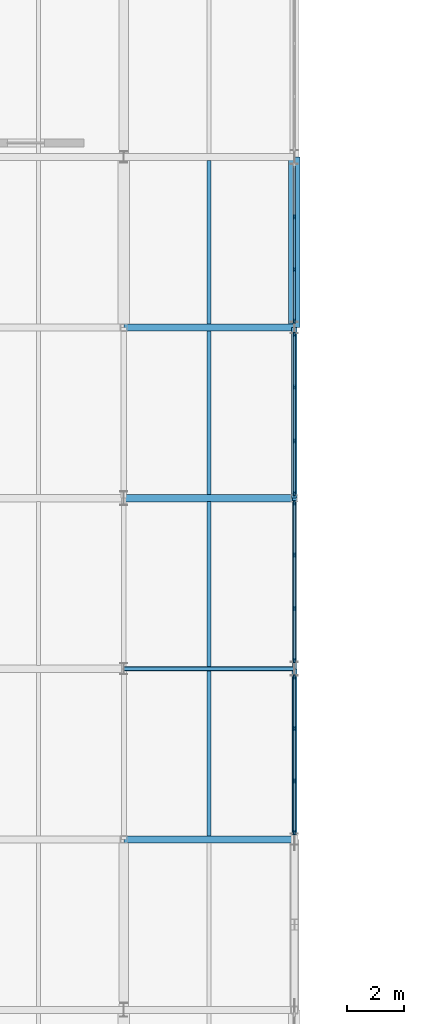
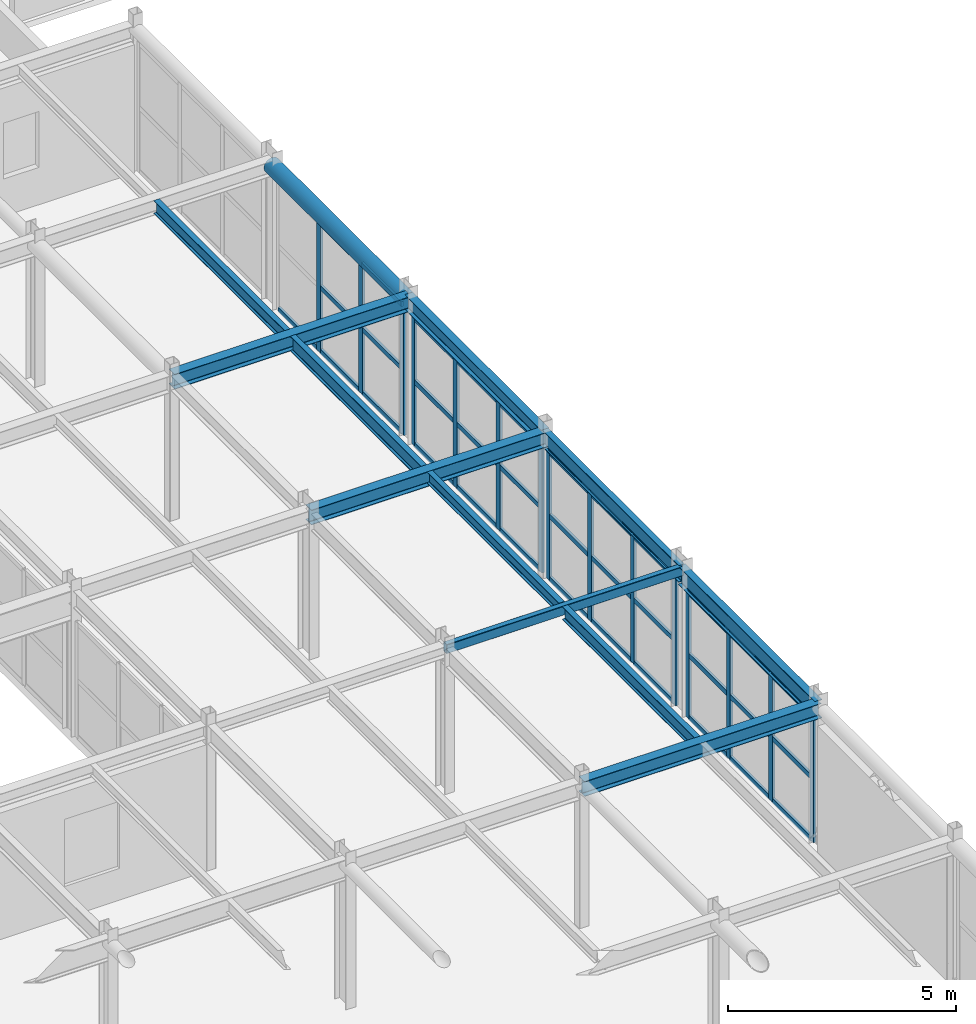
# One storey, part 16 of 83: 49 members, 12 beams, 4 elements without a shape of their own.
"""IFC4 building model written with IfcOpenShell, lengths in metres."""

import ifcopenshell
import ifcopenshell.guid

model = None  # the IFC model being written
_history = None  # IfcOwnerHistory: only IFC2X3 demands one
_inside = {}  # id of a spatial element -> (the spatial element, [elements in it])
_under = {}  # id of a project, library or spatial element -> (it, [spatial elements below it])
_declared = {}  # id of a project -> (the project, [libraries it declares])
_typed = {}  # id of a type object -> (the type object, [elements of that type])
_made_of = {}  # id of a material, layer set ... -> (it, [elements and type objects made of it])


def new_model(schema):
    """Start an empty IFC model of exactly this schema.

    Asked for "IFC4X3", IfcOpenShell would pick the latest addendum, in which some entities
    have other attributes; the version numbers below select the first issue.
    IFC2X3 requires an IfcOwnerHistory on every rooted entity: one is made here for all.
    """
    global model, _history
    if schema == "IFC4X3":
        model = ifcopenshell.file(schema_version=(4, 3, 0, 0))
    else:
        model = ifcopenshell.file(schema=schema)
    _inside.clear()
    _under.clear()
    _declared.clear()
    _typed.clear()
    _made_of.clear()
    _history = None
    if model.schema == "IFC2X3":
        org = make("IfcOrganization", Name="unknown")
        user = make(
            "IfcPersonAndOrganization",
            ThePerson=make("IfcPerson", FamilyName="unknown"),
            TheOrganization=org,
        )
        app = make(
            "IfcApplication",
            ApplicationDeveloper=org,
            Version="unknown",
            ApplicationFullName="unknown",
            ApplicationIdentifier="unknown",
        )
        _history = make(
            "IfcOwnerHistory",
            OwningUser=user,
            OwningApplication=app,
            ChangeAction="ADDED",
            CreationDate=0,
        )
    return model


def make(cls, **values):
    """One entity of the class cls with the attributes given. An attribute that is None is left unset."""
    return model.create_entity(
        cls, **{name: value for name, value in values.items() if value is not None}
    )


def rooted(cls, **values):
    """An entity with a GlobalId (a new one), such as an element, a storey or a relation."""
    return make(cls, GlobalId=ifcopenshell.guid.new(), OwnerHistory=_history, **values)


def si_unit(unit_type, name, prefix=None):
    """IfcSIUnit, for example si_unit("LENGTHUNIT", "METRE", prefix="MILLI")."""
    return make("IfcSIUnit", UnitType=unit_type, Prefix=prefix, Name=name)


def assignment(units):
    """IfcUnitAssignment: the units of a project."""
    return None if units is None else make("IfcUnitAssignment", Units=units)


def point(xyz):
    """IfcCartesianPoint."""
    return None if xyz is None else make("IfcCartesianPoint", Coordinates=xyz)


def direction(xyz):
    """IfcDirection."""
    return None if xyz is None else make("IfcDirection", DirectionRatios=xyz)


def frame(location, z_axis=None, x_axis=None):
    """IfcAxis2Placement3D, a coordinate frame: its origin and axes. An axis left out is left unset."""
    return make(
        "IfcAxis2Placement3D",
        Location=point(location),
        Axis=direction(z_axis),
        RefDirection=direction(x_axis),
    )


def frame_2d(location, x_axis=None):
    """IfcAxis2Placement2D, a coordinate frame in the plane: its origin and x axis."""
    return make(
        "IfcAxis2Placement2D", Location=point(location), RefDirection=direction(x_axis)
    )


def origin():
    """The frame at (0, 0, 0) with its axes left unset."""
    return frame((0.0, 0.0, 0.0))


def origin_2d():
    """The frame at (0, 0) in the plane with its x axis left unset."""
    return frame_2d((0.0, 0.0))


def place(relative_to, where):
    """IfcLocalPlacement: puts the frame where relative to a parent placement (None: the world)."""
    return make(
        "IfcLocalPlacement", PlacementRelTo=relative_to, RelativePlacement=where
    )


def context(
    kind, dimensions, precision=None, world=None, true_north=None, identifier=None
):
    """IfcGeometricRepresentationContext, for example the 3D "Model" context."""
    return make(
        "IfcGeometricRepresentationContext",
        ContextIdentifier=identifier,
        ContextType=kind,
        CoordinateSpaceDimension=dimensions,
        Precision=precision,
        WorldCoordinateSystem=world,
        TrueNorth=true_north,
    )


def subcontext(parent, identifier, kind, view, scale=None):
    """IfcGeometricRepresentationSubContext, for example "Body" below "Model"."""
    return make(
        "IfcGeometricRepresentationSubContext",
        ContextIdentifier=identifier,
        ContextType=kind,
        ParentContext=parent,
        TargetScale=scale,
        TargetView=view,
    )


def project(units=None, contexts=None):
    """IfcProject with its units and contexts."""
    return rooted(
        "IfcProject",
        Name="project",
        RepresentationContexts=contexts,
        UnitsInContext=assignment(units),
    )


def spatial(cls, under=None, at=None, **own):
    """A site, building, storey or space (cls), placed at a placement, below another one or the project."""
    s = rooted(cls, ObjectPlacement=at, **own)
    if under is not None:
        _under.setdefault(under.id(), (under, []))[1].append(s)
    return s


def profile(cls, at=None, kind="AREA", **sizes):
    """A parametric profile (cls). Its sizes go by their IFC names, for example OverallWidth=200.0."""
    return make(cls, ProfileType=kind, Position=at, **sizes)


def rectangle(**sizes):
    """IfcRectangleProfileDef."""
    return profile("IfcRectangleProfileDef", **sizes)


def hollow_rectangle(**sizes):
    """IfcRectangleHollowProfileDef."""
    return profile("IfcRectangleHollowProfileDef", **sizes)


def hollow_circle(**sizes):
    """IfcCircleHollowProfileDef."""
    return profile("IfcCircleHollowProfileDef", **sizes)


def i_section(**sizes):
    """IfcIShapeProfileDef."""
    return profile("IfcIShapeProfileDef", **sizes)


def extrude(swept, where, along, depth):
    """IfcExtrudedAreaSolid: the profile swept, set in the frame where, extruded along a direction by depth."""
    return make(
        "IfcExtrudedAreaSolid",
        SweptArea=swept,
        Position=where,
        ExtrudedDirection=direction(along),
        Depth=depth,
    )


def shape(context_of_items, identifier, shape_type, items):
    """IfcShapeRepresentation: the items that make up one representation, for example the "Body"."""
    return make(
        "IfcShapeRepresentation",
        ContextOfItems=context_of_items,
        RepresentationIdentifier=identifier,
        RepresentationType=shape_type,
        Items=items,
    )


def material(Name=None, Category=None):
    """IfcMaterial."""
    return make("IfcMaterial", Name=Name, Category=Category)


def material_profile(
    of_material, cross_section, Name=None, Category=None, Priority=None
):
    """IfcMaterialProfile: a cross section and its material."""
    return make(
        "IfcMaterialProfile",
        Name=Name,
        Material=of_material,
        Profile=cross_section,
        Priority=Priority,
        Category=Category,
    )


def profile_set(profiles, Name=None, composite=None):
    """IfcMaterialProfileSet."""
    return make(
        "IfcMaterialProfileSet",
        Name=Name,
        MaterialProfiles=profiles,
        CompositeProfile=composite,
    )


def made_of(thing, what):
    """Note that an element or type object is made of a material, layer set ...; save() writes the relation."""
    if what is not None:
        _made_of.setdefault(what.id(), (what, []))[1].append(thing)
    return thing


def type_object(cls, material=None, **own):
    """A type object (cls), such as IfcWallType, which elements share."""
    return made_of(rooted(cls, **own), material)


def element(
    cls,
    number,
    at=None,
    inside=None,
    cuts=None,
    type_object=None,
    material=None,
    context=None,
    identifier="Body",
    shape_type=None,
    held_by="IfcProductDefinitionShape",
    body=None,
    shapes=None,
    **own,
):
    """One element of the class cls, such as IfcWall. Its Tag is "e" and its number.

    at: its placement. inside: the storey or other place that contains it. cuts: it is an
    opening in that element (IfcRelVoidsElement). A single representation is given by context,
    identifier, shape_type and body (its items); several are given by shapes. held_by: the class
    of the entity that holds the representations. save() writes the other relations.
    """
    e = rooted(cls, Tag="e%d" % number, ObjectPlacement=at, **own)
    if body is not None:
        shapes = [shape(context, identifier, shape_type, body)]
    if shapes is not None:
        e.Representation = make(held_by, Representations=shapes)
    if inside is not None:
        _inside.setdefault(inside.id(), (inside, []))[1].append(e)
    if cuts is not None:
        rooted(
            "IfcRelVoidsElement", RelatingBuildingElement=cuts, RelatedOpeningElement=e
        )
    if type_object is not None:
        _typed.setdefault(type_object.id(), (type_object, []))[1].append(e)
    return made_of(e, material)


def aggregate(whole, parts):
    """IfcRelAggregates: a whole, such as a stair, and the parts it consists of."""
    return rooted("IfcRelAggregates", RelatingObject=whole, RelatedObjects=parts)


def save(model, path):
    """Write the relations noted so far, then the file.

    IfcRelAggregates (storeys below a building ...), IfcRelContainedInSpatialStructure (elements
    in a storey), IfcRelDefinesByType, IfcRelAssociatesMaterial and IfcRelDeclares: one each for
    every whole, place, type object, material and project.
    """
    for whole, parts in _under.values():
        aggregate(whole, parts)
    for where, things in _inside.values():
        rooted(
            "IfcRelContainedInSpatialStructure",
            RelatedElements=things,
            RelatingStructure=where,
        )
    for kind, things in _typed.values():
        rooted("IfcRelDefinesByType", RelatedObjects=things, RelatingType=kind)
    for what, things in _made_of.values():
        rooted("IfcRelAssociatesMaterial", RelatedObjects=things, RelatingMaterial=what)
    for by, libraries in _declared.values():
        rooted("IfcRelDeclares", RelatingContext=by, RelatedDefinitions=libraries)
    model.write(path)


model = new_model("IFC4")

# Units and contexts
model_context = context("Model", 3, precision=1e-05, world=origin(), true_north=direction((0.0, 1.0)))
body_context = subcontext(model_context, "Body", "Model", "MODEL_VIEW")
ifc_project = project(units=[si_unit("LENGTHUNIT", "METRE"), si_unit("AREAUNIT", "SQUARE_METRE"), si_unit("VOLUMEUNIT", "CUBIC_METRE"), si_unit("PLANEANGLEUNIT", "RADIAN"), si_unit("MASSUNIT", "GRAM", prefix="KILO")], contexts=[model_context])

# Site, building, storey
site_placement = place(None, origin())
site = spatial("IfcSite", under=ifc_project, at=site_placement, CompositionType="ELEMENT")
building_placement = place(site_placement, origin())
building = spatial("IfcBuilding", under=site, at=building_placement, Name="Varnakota Square Police Headquarters", CompositionType="ELEMENT")
storey_placement = place(building_placement, frame((0.0, 0.0, 18.0)))
storey = spatial("IfcBuildingStorey", under=building, at=storey_placement, Name="L04", CompositionType="ELEMENT", Elevation=18.0)

# Beams
ifc_material_1 = material(Name="Steel IS 2062 Grade 350", Category="steel")
ifc_material_profile_1 = material_profile(ifc_material_1, hollow_circle(Radius=0.203125, WallThickness=0.01611328125, at=origin_2d()), Name="CHS 406.4x16.0")
ifc_profile_set_1 = profile_set([ifc_material_profile_1], Name="Steel IS 2062 Grade 350")
beam_type_1 = type_object("IfcBeamType", Name="BM-ARC-CHS406", PredefinedType="BEAM", material=ifc_profile_set_1)
beam_1_placement = place(storey_placement, frame((42.0, 51.0, 3.69677734375), z_axis=(0.0, 1.0, 0.0), x_axis=(-1.0, 0.0, 0.0)))
element("IfcBeam", 1, at=beam_1_placement, inside=storey, type_object=beam_type_1, Name="BMG-L04-2974", PredefinedType="BEAM", context=body_context, shape_type="SweptSolid", body=[
    extrude(hollow_circle(Radius=0.203125, WallThickness=0.01611328125, at=origin_2d()), origin(), (0.0, 0.0, 1.0), 6.0),
])
ifc_material_profile_2 = material_profile(ifc_material_1, hollow_rectangle(XDim=0.14990234375, YDim=0.25, WallThickness=0.010009765625, InnerFilletRadius=0.010009765625, OuterFilletRadius=0.02001953125, at=origin_2d()), Name="RHS 250x150x10")
ifc_profile_set_2 = profile_set([ifc_material_profile_2], Name="Steel IS 2062 Grade 350")
beam_type_2 = type_object("IfcBeamType", Name="BM-CBEAM-RHS250", PredefinedType="BEAM", material=ifc_profile_set_2)
beam_2_placement = place(storey_placement, frame((36.0, 39.0, 3.77490234375), z_axis=(1.0, 0.0, 0.0), x_axis=(0.0, 1.0, 0.0)))
element("IfcBeam", 2, at=beam_2_placement, inside=storey, type_object=beam_type_2, Name="BMG-L04-2900", PredefinedType="BEAM", context=body_context, shape_type="SweptSolid", body=[
    extrude(hollow_rectangle(XDim=0.14990234375, YDim=0.25, WallThickness=0.010009765625, InnerFilletRadius=0.010009765625, OuterFilletRadius=0.02001953125, at=origin_2d()), origin(), (0.0, 0.0, 1.0), 6.0),
])
ifc_material_profile_3 = material_profile(ifc_material_1, i_section(OverallWidth=0.25, OverallDepth=0.39990234375, WebThickness=0.010498046875, FlangeThickness=0.0126953125, FilletRadius=0.013916015625, at=origin_2d()), Name="ISHB 400")
ifc_profile_set_3 = profile_set([ifc_material_profile_3], Name="Steel IS 2062 Grade 350")
beam_type_3 = type_object("IfcBeamType", Name="BM-ISHB400", PredefinedType="BEAM", material=ifc_profile_set_3)
for number, where, z_axis, x_axis, name in (
    (3, (36.0, 33.0, 3.699951171875), (1.0, 0.0, 0.0), (0.0, 1.0, 0.0), "BMG-L04-2891"),
    (4, (36.0, 45.0, 3.699951171875), (1.0, 0.0, 0.0), (0.0, 1.0, 0.0), "BMG-L04-2909"),
    (5, (36.0, 51.0, 3.699951171875), (1.0, 0.0, 0.0), (0.0, 1.0, 0.0), "BMG-L04-2917"),
):
    element("IfcBeam", number, at=place(storey_placement, frame(where, z_axis=z_axis, x_axis=x_axis)), inside=storey, type_object=beam_type_3, Name=name, PredefinedType="BEAM", context=body_context, shape_type="SweptSolid", body=[
        extrude(i_section(OverallWidth=0.25, OverallDepth=0.39990234375, WebThickness=0.010498046875, FlangeThickness=0.0126953125, FilletRadius=0.013916015625, at=origin_2d()), origin(), (0.0, 0.0, 1.0), 6.0),
    ])
ifc_material_profile_4 = material_profile(ifc_material_1, i_section(OverallWidth=0.139892578125, OverallDepth=0.300048828125, WebThickness=0.0078125, FlangeThickness=0.01318359375, FilletRadius=0.013916015625, at=origin_2d()), Name="ISMB 300")
ifc_profile_set_4 = profile_set([ifc_material_profile_4], Name="Steel IS 2062 Grade 350")
beam_type_4 = type_object("IfcBeamType", Name="BM-ISMB300", PredefinedType="JOIST", material=ifc_profile_set_4)
beam_3_placement = place(storey_placement, frame((39.0, 39.072998046875, 3.75), z_axis=(0.0, 1.0, 0.0), x_axis=(-1.0, 0.0, 0.0)))
element("IfcBeam", 6, at=beam_3_placement, inside=storey, type_object=beam_type_4, Name="BMG-L04-3051", PredefinedType="JOIST", context=body_context, shape_type="SweptSolid", body=[
    extrude(i_section(OverallWidth=0.139892578125, OverallDepth=0.300048828125, WebThickness=0.0078125, FlangeThickness=0.01318359375, FilletRadius=0.013916015625, at=origin_2d()), origin(), (0.0, 0.0, 1.0), 5.803955078125),
])
ifc_material_profile_5 = material_profile(ifc_material_1, i_section(OverallWidth=0.139892578125, OverallDepth=0.35009765625, WebThickness=0.008056640625, FlangeThickness=0.01416015625, FilletRadius=0.013916015625, at=origin_2d()), Name="ISMB 350")
ifc_profile_set_5 = profile_set([ifc_material_profile_5], Name="Steel IS 2062 Grade 350")
beam_type_5 = type_object("IfcBeamType", Name="BM-ISMB350", PredefinedType="JOIST", material=ifc_profile_set_5)
beam_4_placement = place(storey_placement, frame((39.0, 33.123046875, 3.72509765625), z_axis=(0.0, 1.0, 0.0), x_axis=(-1.0, 0.0, 0.0)))
element("IfcBeam", 7, at=beam_4_placement, inside=storey, type_object=beam_type_5, Name="BMG-L04-3050", PredefinedType="JOIST", context=body_context, shape_type="SweptSolid", body=[
    extrude(i_section(OverallWidth=0.139892578125, OverallDepth=0.35009765625, WebThickness=0.008056640625, FlangeThickness=0.01416015625, FilletRadius=0.013916015625, at=origin_2d()), origin(), (0.0, 0.0, 1.0), 5.803955078125),
])
beam_5_placement = place(storey_placement, frame((39.0, 51.123046875, 3.72509765625), z_axis=(0.0, 1.0, 0.0), x_axis=(-1.0, 0.0, 0.0)))
element("IfcBeam", 8, at=beam_5_placement, inside=storey, type_object=beam_type_5, Name="BMG-L04-3053", PredefinedType="JOIST", context=body_context, shape_type="SweptSolid", body=[
    extrude(i_section(OverallWidth=0.139892578125, OverallDepth=0.35009765625, WebThickness=0.008056640625, FlangeThickness=0.01416015625, FilletRadius=0.013916015625, at=origin_2d()), origin(), (0.0, 0.0, 1.0), 5.75390625),
])
ifc_material_profile_6 = material_profile(ifc_material_1, i_section(OverallWidth=0.139892578125, OverallDepth=0.39990234375, WebThickness=0.0087890625, FlangeThickness=0.01611328125, FilletRadius=0.013916015625, at=origin_2d()), Name="ISMB 400")
ifc_profile_set_6 = profile_set([ifc_material_profile_6], Name="Steel IS 2062 Grade 350")
beam_type_6 = type_object("IfcBeamType", Name="BM-ISMB400", PredefinedType="JOIST", material=ifc_profile_set_6)
beam_6_placement = place(storey_placement, frame((39.0, 45.123046875, 3.699951171875), z_axis=(0.0, 1.0, 0.0), x_axis=(-1.0, 0.0, 0.0)))
element("IfcBeam", 9, at=beam_6_placement, inside=storey, type_object=beam_type_6, Name="BMG-L04-3052", PredefinedType="JOIST", context=body_context, shape_type="SweptSolid", body=[
    extrude(i_section(OverallWidth=0.139892578125, OverallDepth=0.39990234375, WebThickness=0.0087890625, FlangeThickness=0.01611328125, FilletRadius=0.013916015625, at=origin_2d()), origin(), (0.0, 0.0, 1.0), 5.75390625),
])
ifc_material_profile_7 = material_profile(ifc_material_1, i_section(OverallWidth=0.14990234375, OverallDepth=0.449951171875, WebThickness=0.009521484375, FlangeThickness=0.017333984375, FilletRadius=0.014892578125, at=origin_2d()), Name="ISMB 450")
ifc_profile_set_7 = profile_set([ifc_material_profile_7], Name="Steel IS 2062 Grade 350")
beam_type_7 = type_object("IfcBeamType", Name="BM-ISMB450", PredefinedType="BEAM", material=ifc_profile_set_7)
beam_7_placement = place(storey_placement, frame((42.0, 39.0, 3.675048828125), z_axis=(0.0, 1.0, 0.0), x_axis=(-1.0, 0.0, 0.0)))
element("IfcBeam", 10, at=beam_7_placement, inside=storey, type_object=beam_type_7, Name="BMG-L04-2972", PredefinedType="BEAM", context=body_context, shape_type="SweptSolid", body=[
    extrude(i_section(OverallWidth=0.14990234375, OverallDepth=0.449951171875, WebThickness=0.009521484375, FlangeThickness=0.017333984375, FilletRadius=0.014892578125, at=origin_2d()), origin(), (0.0, 0.0, 1.0), 6.0),
])
ifc_material_profile_8 = material_profile(ifc_material_1, i_section(OverallWidth=0.179931640625, OverallDepth=0.5, WebThickness=0.01025390625, FlangeThickness=0.01708984375, FilletRadius=0.01708984375, at=origin_2d()), Name="ISMB 500")
ifc_profile_set_8 = profile_set([ifc_material_profile_8], Name="Steel IS 2062 Grade 350")
beam_type_8 = type_object("IfcBeamType", Name="BM-ISMB500", PredefinedType="BEAM", material=ifc_profile_set_8)
beam_8_placement = place(storey_placement, frame((42.0, 33.0, 3.64990234375), z_axis=(0.0, 1.0, 0.0), x_axis=(-1.0, 0.0, 0.0)))
element("IfcBeam", 11, at=beam_8_placement, inside=storey, type_object=beam_type_8, Name="BMG-L04-2971", PredefinedType="BEAM", context=body_context, shape_type="SweptSolid", body=[
    extrude(i_section(OverallWidth=0.179931640625, OverallDepth=0.5, WebThickness=0.01025390625, FlangeThickness=0.01708984375, FilletRadius=0.01708984375, at=origin_2d()), origin(), (0.0, 0.0, 1.0), 6.0),
])
ifc_material_profile_9 = material_profile(ifc_material_1, i_section(OverallWidth=0.199951171875, OverallDepth=0.39990234375, WebThickness=0.008544921875, FlangeThickness=0.012939453125, FilletRadius=0.012939453125, at=origin_2d()), Name="ISWB 400")
ifc_profile_set_9 = profile_set([ifc_material_profile_9], Name="Steel IS 2062 Grade 350")
beam_type_9 = type_object("IfcBeamType", Name="BM-ISWB400", PredefinedType="BEAM", material=ifc_profile_set_9)
beam_9_placement = place(storey_placement, frame((42.0, 45.0, 3.699951171875), z_axis=(0.0, 1.0, 0.0), x_axis=(-1.0, 0.0, 0.0)))
element("IfcBeam", 12, at=beam_9_placement, inside=storey, type_object=beam_type_9, Name="BMG-L04-2973", PredefinedType="BEAM", context=body_context, shape_type="SweptSolid", body=[
    extrude(i_section(OverallWidth=0.199951171875, OverallDepth=0.39990234375, WebThickness=0.008544921875, FlangeThickness=0.012939453125, FilletRadius=0.012939453125, at=origin_2d()), origin(), (0.0, 0.0, 1.0), 6.0),
])

# Curtain wall, members
ifc_material_2 = material(Name="Anodised Aluminium Framing", Category="aluminium")
curtain_wall_type = type_object("IfcCurtainWallType", Name="CW-SYS-D", PredefinedType="NOTDEFINED", material=ifc_material_2)
curtain_wall_1_placement = place(storey_placement, origin())
curtain_wall_1 = element("IfcCurtainWall", 13, at=curtain_wall_1_placement, inside=storey, type_object=curtain_wall_type, Name="Unitised curtain wall CWG-L04-181", PredefinedType="NOTDEFINED")
ifc_material_3 = material(Name="Anodised Aluminium 6063-T6", Category="aluminium")
ifc_material_profile_10 = material_profile(ifc_material_3, rectangle(XDim=0.06494140625, YDim=0.159912109375, at=origin_2d()), Name="ALU MULLION 65x160")
ifc_profile_set_10 = profile_set([ifc_material_profile_10], Name="Anodised Aluminium 6063-T6")
member_type_1 = type_object("IfcMemberType", Name="CWM-150", PredefinedType="MULLION", material=ifc_profile_set_10)
member_1_placement = place(storey_placement, frame((42.0, 33.237548828125, 0.0), z_axis=(0.0, 0.0, 1.0), x_axis=(-1.0, 0.0, 0.0)))
member_1 = element("IfcMember", 14, at=member_1_placement, type_object=member_type_1, Name="CWG-L04-181 mullion 1", PredefinedType="MULLION", context=body_context, shape_type="SweptSolid", body=[
    extrude(rectangle(XDim=0.06494140625, YDim=0.159912109375, at=origin_2d()), origin(), (0.0, 0.0, 1.0), 3.389892578125),
])
member_2_placement = place(storey_placement, frame((42.0, 35.0517578125, 0.0), z_axis=(0.0, 0.0, 1.0), x_axis=(-1.0, 0.0, 0.0)))
member_2 = element("IfcMember", 15, at=member_2_placement, type_object=member_type_1, Name="CWG-L04-181 mullion 2", PredefinedType="MULLION", context=body_context, shape_type="SweptSolid", body=[
    extrude(rectangle(XDim=0.06494140625, YDim=0.159912109375, at=origin_2d()), origin(), (0.0, 0.0, 1.0), 3.389892578125),
])
member_3_placement = place(storey_placement, frame((42.0, 36.8984375, 0.0), z_axis=(0.0, 0.0, 1.0), x_axis=(-1.0, 0.0, 0.0)))
member_3 = element("IfcMember", 16, at=member_3_placement, type_object=member_type_1, Name="CWG-L04-181 mullion 3", PredefinedType="MULLION", context=body_context, shape_type="SweptSolid", body=[
    extrude(rectangle(XDim=0.06494140625, YDim=0.159912109375, at=origin_2d()), origin(), (0.0, 0.0, 1.0), 3.389892578125),
])
member_4_placement = place(storey_placement, frame((42.0, 38.71240234375, 0.0), z_axis=(0.0, 0.0, 1.0), x_axis=(-1.0, 0.0, 0.0)))
member_4 = element("IfcMember", 17, at=member_4_placement, type_object=member_type_1, Name="CWG-L04-181 mullion 4", PredefinedType="MULLION", context=body_context, shape_type="SweptSolid", body=[
    extrude(rectangle(XDim=0.06494140625, YDim=0.159912109375, at=origin_2d()), origin(), (0.0, 0.0, 1.0), 3.389892578125),
])

curtain_wall_2_placement = place(storey_placement, origin())
curtain_wall_2 = element("IfcCurtainWall", 18, at=curtain_wall_2_placement, inside=storey, type_object=curtain_wall_type, Name="Unitised curtain wall CWG-L04-182", PredefinedType="NOTDEFINED")
member_5_placement = place(storey_placement, frame((42.0, 39.28759765625, 0.0), z_axis=(0.0, 0.0, 1.0), x_axis=(-1.0, 0.0, 0.0)))
member_5 = element("IfcMember", 19, at=member_5_placement, type_object=member_type_1, Name="CWG-L04-182 mullion 1", PredefinedType="MULLION", context=body_context, shape_type="SweptSolid", body=[
    extrude(rectangle(XDim=0.06494140625, YDim=0.159912109375, at=origin_2d()), origin(), (0.0, 0.0, 1.0), 3.43994140625),
])
member_6_placement = place(storey_placement, frame((42.0, 41.126708984375, 0.0), z_axis=(0.0, 0.0, 1.0), x_axis=(-1.0, 0.0, 0.0)))
member_6 = element("IfcMember", 20, at=member_6_placement, type_object=member_type_1, Name="CWG-L04-182 mullion 2", PredefinedType="MULLION", context=body_context, shape_type="SweptSolid", body=[
    extrude(rectangle(XDim=0.06494140625, YDim=0.159912109375, at=origin_2d()), origin(), (0.0, 0.0, 1.0), 3.43994140625),
])
member_7_placement = place(storey_placement, frame((42.0, 42.998291015625, 0.0), z_axis=(0.0, 0.0, 1.0), x_axis=(-1.0, 0.0, 0.0)))
member_7 = element("IfcMember", 21, at=member_7_placement, type_object=member_type_1, Name="CWG-L04-182 mullion 3", PredefinedType="MULLION", context=body_context, shape_type="SweptSolid", body=[
    extrude(rectangle(XDim=0.06494140625, YDim=0.159912109375, at=origin_2d()), origin(), (0.0, 0.0, 1.0), 3.43994140625),
])
member_8_placement = place(storey_placement, frame((42.0, 44.83740234375, 0.0), z_axis=(0.0, 0.0, 1.0), x_axis=(-1.0, 0.0, 0.0)))
member_8 = element("IfcMember", 22, at=member_8_placement, type_object=member_type_1, Name="CWG-L04-182 mullion 4", PredefinedType="MULLION", context=body_context, shape_type="SweptSolid", body=[
    extrude(rectangle(XDim=0.06494140625, YDim=0.159912109375, at=origin_2d()), origin(), (0.0, 0.0, 1.0), 3.43994140625),
])

curtain_wall_3_placement = place(storey_placement, origin())
curtain_wall_3 = element("IfcCurtainWall", 23, at=curtain_wall_3_placement, inside=storey, type_object=curtain_wall_type, Name="Unitised curtain wall CWG-L04-183", PredefinedType="NOTDEFINED")
member_9_placement = place(storey_placement, frame((42.0, 45.16259765625, 0.0), z_axis=(0.0, 0.0, 1.0), x_axis=(-1.0, 0.0, 0.0)))
member_9 = element("IfcMember", 24, at=member_9_placement, type_object=member_type_1, Name="CWG-L04-183 mullion 1", PredefinedType="MULLION", context=body_context, shape_type="SweptSolid", body=[
    extrude(rectangle(XDim=0.06494140625, YDim=0.159912109375, at=origin_2d()), origin(), (0.0, 0.0, 1.0), 3.43994140625),
])
member_10_placement = place(storey_placement, frame((42.0, 47.018310546875, 0.0), z_axis=(0.0, 0.0, 1.0), x_axis=(-1.0, 0.0, 0.0)))
member_10 = element("IfcMember", 25, at=member_10_placement, type_object=member_type_1, Name="CWG-L04-183 mullion 2", PredefinedType="MULLION", context=body_context, shape_type="SweptSolid", body=[
    extrude(rectangle(XDim=0.06494140625, YDim=0.159912109375, at=origin_2d()), origin(), (0.0, 0.0, 1.0), 3.43994140625),
])
member_11_placement = place(storey_placement, frame((42.0, 48.90673828125, 0.0), z_axis=(0.0, 0.0, 1.0), x_axis=(-1.0, 0.0, 0.0)))
member_11 = element("IfcMember", 26, at=member_11_placement, type_object=member_type_1, Name="CWG-L04-183 mullion 3", PredefinedType="MULLION", context=body_context, shape_type="SweptSolid", body=[
    extrude(rectangle(XDim=0.06494140625, YDim=0.159912109375, at=origin_2d()), origin(), (0.0, 0.0, 1.0), 3.43994140625),
])
member_12_placement = place(storey_placement, frame((42.0, 50.762451171875, 0.0), z_axis=(0.0, 0.0, 1.0), x_axis=(-1.0, 0.0, 0.0)))
member_12 = element("IfcMember", 27, at=member_12_placement, type_object=member_type_1, Name="CWG-L04-183 mullion 4", PredefinedType="MULLION", context=body_context, shape_type="SweptSolid", body=[
    extrude(rectangle(XDim=0.06494140625, YDim=0.159912109375, at=origin_2d()), origin(), (0.0, 0.0, 1.0), 3.43994140625),
])

curtain_wall_4_placement = place(storey_placement, origin())
curtain_wall_4 = element("IfcCurtainWall", 28, at=curtain_wall_4_placement, inside=storey, type_object=curtain_wall_type, Name="Unitised curtain wall CWG-L04-184", PredefinedType="NOTDEFINED")
member_13_placement = place(storey_placement, frame((42.0, 51.237548828125, 0.0), z_axis=(0.0, 0.0, 1.0), x_axis=(-1.0, 0.0, 0.0)))
member_13 = element("IfcMember", 29, at=member_13_placement, type_object=member_type_1, Name="CWG-L04-184 mullion 1", PredefinedType="MULLION", context=body_context, shape_type="SweptSolid", body=[
    extrude(rectangle(XDim=0.06494140625, YDim=0.159912109375, at=origin_2d()), origin(), (0.0, 0.0, 1.0), 3.483642578125),
])
member_14_placement = place(storey_placement, frame((42.0, 53.0517578125, 0.0), z_axis=(0.0, 0.0, 1.0), x_axis=(-1.0, 0.0, 0.0)))
member_14 = element("IfcMember", 30, at=member_14_placement, type_object=member_type_1, Name="CWG-L04-184 mullion 2", PredefinedType="MULLION", context=body_context, shape_type="SweptSolid", body=[
    extrude(rectangle(XDim=0.06494140625, YDim=0.159912109375, at=origin_2d()), origin(), (0.0, 0.0, 1.0), 3.483642578125),
])
member_15_placement = place(storey_placement, frame((42.0, 54.8984375, 0.0), z_axis=(0.0, 0.0, 1.0), x_axis=(-1.0, 0.0, 0.0)))
member_15 = element("IfcMember", 31, at=member_15_placement, type_object=member_type_1, Name="CWG-L04-184 mullion 3", PredefinedType="MULLION", context=body_context, shape_type="SweptSolid", body=[
    extrude(rectangle(XDim=0.06494140625, YDim=0.159912109375, at=origin_2d()), origin(), (0.0, 0.0, 1.0), 3.483642578125),
])

# Member
ifc_material_profile_11 = material_profile(ifc_material_3, rectangle(XDim=0.06494140625, YDim=0.1298828125, at=origin_2d()), Name="ALU TRANSOM 65x130")
ifc_profile_set_11 = profile_set([ifc_material_profile_11], Name="Anodised Aluminium 6063-T6")
member_type_2 = type_object("IfcMemberType", Name="CWT-120", PredefinedType="USERDEFINED", material=ifc_profile_set_11)
member_16_placement = place(storey_placement, frame((42.0, 33.27001953125, 0.032470703125), z_axis=(0.0, 1.0, 0.0), x_axis=(-1.0, 0.0, 0.0)))
member_16 = element("IfcMember", 32, at=member_16_placement, type_object=member_type_2, Name="CWG-L04-181 transom 1.1", ObjectType="TRANSOM", PredefinedType="USERDEFINED", context=body_context, shape_type="SweptSolid", body=[
    extrude(rectangle(XDim=0.06494140625, YDim=0.1298828125, at=origin_2d()), origin(), (0.0, 0.0, 1.0), 1.749267578125),
])

member_17_placement = place(storey_placement, frame((42.0, 33.27001953125, 1.695068359375), z_axis=(0.0, 1.0, 0.0), x_axis=(-1.0, 0.0, 0.0)))
member_17 = element("IfcMember", 33, at=member_17_placement, type_object=member_type_2, Name="CWG-L04-181 transom 1.2", ObjectType="TRANSOM", PredefinedType="USERDEFINED", context=body_context, shape_type="SweptSolid", body=[
    extrude(rectangle(XDim=0.06494140625, YDim=0.1298828125, at=origin_2d()), origin(), (0.0, 0.0, 1.0), 1.749267578125),
])

member_18_placement = place(storey_placement, frame((42.0, 33.27001953125, 3.357421875), z_axis=(0.0, 1.0, 0.0), x_axis=(-1.0, 0.0, 0.0)))
member_18 = element("IfcMember", 34, at=member_18_placement, type_object=member_type_2, Name="CWG-L04-181 transom 1.3", ObjectType="TRANSOM", PredefinedType="USERDEFINED", context=body_context, shape_type="SweptSolid", body=[
    extrude(rectangle(XDim=0.06494140625, YDim=0.1298828125, at=origin_2d()), origin(), (0.0, 0.0, 1.0), 1.749267578125),
])

member_19_placement = place(storey_placement, frame((42.0, 35.084228515625, 0.032470703125), z_axis=(0.0, 1.0, 0.0), x_axis=(-1.0, 0.0, 0.0)))
member_19 = element("IfcMember", 35, at=member_19_placement, type_object=member_type_2, Name="CWG-L04-181 transom 2.1", ObjectType="TRANSOM", PredefinedType="USERDEFINED", context=body_context, shape_type="SweptSolid", body=[
    extrude(rectangle(XDim=0.06494140625, YDim=0.1298828125, at=origin_2d()), origin(), (0.0, 0.0, 1.0), 1.781494140625),
])

member_20_placement = place(storey_placement, frame((42.0, 35.084228515625, 1.695068359375), z_axis=(0.0, 1.0, 0.0), x_axis=(-1.0, 0.0, 0.0)))
member_20 = element("IfcMember", 36, at=member_20_placement, type_object=member_type_2, Name="CWG-L04-181 transom 2.2", ObjectType="TRANSOM", PredefinedType="USERDEFINED", context=body_context, shape_type="SweptSolid", body=[
    extrude(rectangle(XDim=0.06494140625, YDim=0.1298828125, at=origin_2d()), origin(), (0.0, 0.0, 1.0), 1.781494140625),
])

member_21_placement = place(storey_placement, frame((42.0, 35.084228515625, 3.357421875), z_axis=(0.0, 1.0, 0.0), x_axis=(-1.0, 0.0, 0.0)))
member_21 = element("IfcMember", 37, at=member_21_placement, type_object=member_type_2, Name="CWG-L04-181 transom 2.3", ObjectType="TRANSOM", PredefinedType="USERDEFINED", context=body_context, shape_type="SweptSolid", body=[
    extrude(rectangle(XDim=0.06494140625, YDim=0.1298828125, at=origin_2d()), origin(), (0.0, 0.0, 1.0), 1.781494140625),
])

member_22_placement = place(storey_placement, frame((42.0, 36.930908203125, 0.032470703125), z_axis=(0.0, 1.0, 0.0), x_axis=(-1.0, 0.0, 0.0)))
member_22 = element("IfcMember", 38, at=member_22_placement, type_object=member_type_2, Name="CWG-L04-181 transom 3.1", ObjectType="TRANSOM", PredefinedType="USERDEFINED", context=body_context, shape_type="SweptSolid", body=[
    extrude(rectangle(XDim=0.06494140625, YDim=0.1298828125, at=origin_2d()), origin(), (0.0, 0.0, 1.0), 1.7490234375),
])

member_23_placement = place(storey_placement, frame((42.0, 36.930908203125, 1.695068359375), z_axis=(0.0, 1.0, 0.0), x_axis=(-1.0, 0.0, 0.0)))
member_23 = element("IfcMember", 39, at=member_23_placement, type_object=member_type_2, Name="CWG-L04-181 transom 3.2", ObjectType="TRANSOM", PredefinedType="USERDEFINED", context=body_context, shape_type="SweptSolid", body=[
    extrude(rectangle(XDim=0.06494140625, YDim=0.1298828125, at=origin_2d()), origin(), (0.0, 0.0, 1.0), 1.7490234375),
])

member_24_placement = place(storey_placement, frame((42.0, 36.930908203125, 3.357421875), z_axis=(0.0, 1.0, 0.0), x_axis=(-1.0, 0.0, 0.0)))
member_24 = element("IfcMember", 40, at=member_24_placement, type_object=member_type_2, Name="CWG-L04-181 transom 3.3", ObjectType="TRANSOM", PredefinedType="USERDEFINED", context=body_context, shape_type="SweptSolid", body=[
    extrude(rectangle(XDim=0.06494140625, YDim=0.1298828125, at=origin_2d()), origin(), (0.0, 0.0, 1.0), 1.7490234375),
])

aggregate(curtain_wall_1, [member_1, member_2, member_3, member_4, member_16, member_17, member_18, member_19, member_20, member_21, member_22, member_23, member_24])

member_25_placement = place(storey_placement, frame((42.0, 39.320068359375, 0.032470703125), z_axis=(0.0, 1.0, 0.0), x_axis=(-1.0, 0.0, 0.0)))
member_25 = element("IfcMember", 41, at=member_25_placement, type_object=member_type_2, Name="CWG-L04-182 transom 1.1", ObjectType="TRANSOM", PredefinedType="USERDEFINED", context=body_context, shape_type="SweptSolid", body=[
    extrude(rectangle(XDim=0.06494140625, YDim=0.1298828125, at=origin_2d()), origin(), (0.0, 0.0, 1.0), 1.774169921875),
])

member_26_placement = place(storey_placement, frame((42.0, 39.320068359375, 1.719970703125), z_axis=(0.0, 1.0, 0.0), x_axis=(-1.0, 0.0, 0.0)))
member_26 = element("IfcMember", 42, at=member_26_placement, type_object=member_type_2, Name="CWG-L04-182 transom 1.2", ObjectType="TRANSOM", PredefinedType="USERDEFINED", context=body_context, shape_type="SweptSolid", body=[
    extrude(rectangle(XDim=0.06494140625, YDim=0.1298828125, at=origin_2d()), origin(), (0.0, 0.0, 1.0), 1.774169921875),
])

member_27_placement = place(storey_placement, frame((42.0, 39.320068359375, 3.407470703125), z_axis=(0.0, 1.0, 0.0), x_axis=(-1.0, 0.0, 0.0)))
member_27 = element("IfcMember", 43, at=member_27_placement, type_object=member_type_2, Name="CWG-L04-182 transom 1.3", ObjectType="TRANSOM", PredefinedType="USERDEFINED", context=body_context, shape_type="SweptSolid", body=[
    extrude(rectangle(XDim=0.06494140625, YDim=0.1298828125, at=origin_2d()), origin(), (0.0, 0.0, 1.0), 1.774169921875),
])

member_28_placement = place(storey_placement, frame((42.0, 41.1591796875, 0.032470703125), z_axis=(0.0, 1.0, 0.0), x_axis=(-1.0, 0.0, 0.0)))
member_28 = element("IfcMember", 44, at=member_28_placement, type_object=member_type_2, Name="CWG-L04-182 transom 2.1", ObjectType="TRANSOM", PredefinedType="USERDEFINED", context=body_context, shape_type="SweptSolid", body=[
    extrude(rectangle(XDim=0.06494140625, YDim=0.1298828125, at=origin_2d()), origin(), (0.0, 0.0, 1.0), 1.806640625),
])

member_29_placement = place(storey_placement, frame((42.0, 41.1591796875, 1.719970703125), z_axis=(0.0, 1.0, 0.0), x_axis=(-1.0, 0.0, 0.0)))
member_29 = element("IfcMember", 45, at=member_29_placement, type_object=member_type_2, Name="CWG-L04-182 transom 2.2", ObjectType="TRANSOM", PredefinedType="USERDEFINED", context=body_context, shape_type="SweptSolid", body=[
    extrude(rectangle(XDim=0.06494140625, YDim=0.1298828125, at=origin_2d()), origin(), (0.0, 0.0, 1.0), 1.806640625),
])

member_30_placement = place(storey_placement, frame((42.0, 41.1591796875, 3.407470703125), z_axis=(0.0, 1.0, 0.0), x_axis=(-1.0, 0.0, 0.0)))
member_30 = element("IfcMember", 46, at=member_30_placement, type_object=member_type_2, Name="CWG-L04-182 transom 2.3", ObjectType="TRANSOM", PredefinedType="USERDEFINED", context=body_context, shape_type="SweptSolid", body=[
    extrude(rectangle(XDim=0.06494140625, YDim=0.1298828125, at=origin_2d()), origin(), (0.0, 0.0, 1.0), 1.806640625),
])

member_31_placement = place(storey_placement, frame((42.0, 43.03076171875, 0.032470703125), z_axis=(0.0, 1.0, 0.0), x_axis=(-1.0, 0.0, 0.0)))
member_31 = element("IfcMember", 47, at=member_31_placement, type_object=member_type_2, Name="CWG-L04-182 transom 3.1", ObjectType="TRANSOM", PredefinedType="USERDEFINED", context=body_context, shape_type="SweptSolid", body=[
    extrude(rectangle(XDim=0.06494140625, YDim=0.1298828125, at=origin_2d()), origin(), (0.0, 0.0, 1.0), 1.774169921875),
])

member_32_placement = place(storey_placement, frame((42.0, 43.03076171875, 1.719970703125), z_axis=(0.0, 1.0, 0.0), x_axis=(-1.0, 0.0, 0.0)))
member_32 = element("IfcMember", 48, at=member_32_placement, type_object=member_type_2, Name="CWG-L04-182 transom 3.2", ObjectType="TRANSOM", PredefinedType="USERDEFINED", context=body_context, shape_type="SweptSolid", body=[
    extrude(rectangle(XDim=0.06494140625, YDim=0.1298828125, at=origin_2d()), origin(), (0.0, 0.0, 1.0), 1.774169921875),
])

member_33_placement = place(storey_placement, frame((42.0, 43.03076171875, 3.407470703125), z_axis=(0.0, 1.0, 0.0), x_axis=(-1.0, 0.0, 0.0)))
member_33 = element("IfcMember", 49, at=member_33_placement, type_object=member_type_2, Name="CWG-L04-182 transom 3.3", ObjectType="TRANSOM", PredefinedType="USERDEFINED", context=body_context, shape_type="SweptSolid", body=[
    extrude(rectangle(XDim=0.06494140625, YDim=0.1298828125, at=origin_2d()), origin(), (0.0, 0.0, 1.0), 1.774169921875),
])

aggregate(curtain_wall_2, [member_5, member_6, member_7, member_8, member_25, member_26, member_27, member_28, member_29, member_30, member_31, member_32, member_33])

member_34_placement = place(storey_placement, frame((42.0, 45.195068359375, 0.032470703125), z_axis=(0.0, 1.0, 0.0), x_axis=(-1.0, 0.0, 0.0)))
member_34 = element("IfcMember", 50, at=member_34_placement, type_object=member_type_2, Name="CWG-L04-183 transom 1.1", ObjectType="TRANSOM", PredefinedType="USERDEFINED", context=body_context, shape_type="SweptSolid", body=[
    extrude(rectangle(XDim=0.06494140625, YDim=0.1298828125, at=origin_2d()), origin(), (0.0, 0.0, 1.0), 1.790771484375),
])

member_35_placement = place(storey_placement, frame((42.0, 45.195068359375, 1.719970703125), z_axis=(0.0, 1.0, 0.0), x_axis=(-1.0, 0.0, 0.0)))
member_35 = element("IfcMember", 51, at=member_35_placement, type_object=member_type_2, Name="CWG-L04-183 transom 1.2", ObjectType="TRANSOM", PredefinedType="USERDEFINED", context=body_context, shape_type="SweptSolid", body=[
    extrude(rectangle(XDim=0.06494140625, YDim=0.1298828125, at=origin_2d()), origin(), (0.0, 0.0, 1.0), 1.790771484375),
])

member_36_placement = place(storey_placement, frame((42.0, 45.195068359375, 3.407470703125), z_axis=(0.0, 1.0, 0.0), x_axis=(-1.0, 0.0, 0.0)))
member_36 = element("IfcMember", 52, at=member_36_placement, type_object=member_type_2, Name="CWG-L04-183 transom 1.3", ObjectType="TRANSOM", PredefinedType="USERDEFINED", context=body_context, shape_type="SweptSolid", body=[
    extrude(rectangle(XDim=0.06494140625, YDim=0.1298828125, at=origin_2d()), origin(), (0.0, 0.0, 1.0), 1.790771484375),
])

member_37_placement = place(storey_placement, frame((42.0, 47.05078125, 0.032470703125), z_axis=(0.0, 1.0, 0.0), x_axis=(-1.0, 0.0, 0.0)))
member_37 = element("IfcMember", 53, at=member_37_placement, type_object=member_type_2, Name="CWG-L04-183 transom 2.1", ObjectType="TRANSOM", PredefinedType="USERDEFINED", context=body_context, shape_type="SweptSolid", body=[
    extrude(rectangle(XDim=0.06494140625, YDim=0.1298828125, at=origin_2d()), origin(), (0.0, 0.0, 1.0), 1.823486328125),
])

member_38_placement = place(storey_placement, frame((42.0, 47.05078125, 1.719970703125), z_axis=(0.0, 1.0, 0.0), x_axis=(-1.0, 0.0, 0.0)))
member_38 = element("IfcMember", 54, at=member_38_placement, type_object=member_type_2, Name="CWG-L04-183 transom 2.2", ObjectType="TRANSOM", PredefinedType="USERDEFINED", context=body_context, shape_type="SweptSolid", body=[
    extrude(rectangle(XDim=0.06494140625, YDim=0.1298828125, at=origin_2d()), origin(), (0.0, 0.0, 1.0), 1.823486328125),
])

member_39_placement = place(storey_placement, frame((42.0, 47.05078125, 3.407470703125), z_axis=(0.0, 1.0, 0.0), x_axis=(-1.0, 0.0, 0.0)))
member_39 = element("IfcMember", 55, at=member_39_placement, type_object=member_type_2, Name="CWG-L04-183 transom 2.3", ObjectType="TRANSOM", PredefinedType="USERDEFINED", context=body_context, shape_type="SweptSolid", body=[
    extrude(rectangle(XDim=0.06494140625, YDim=0.1298828125, at=origin_2d()), origin(), (0.0, 0.0, 1.0), 1.823486328125),
])

member_40_placement = place(storey_placement, frame((42.0, 48.939208984375, 0.032470703125), z_axis=(0.0, 1.0, 0.0), x_axis=(-1.0, 0.0, 0.0)))
member_40 = element("IfcMember", 56, at=member_40_placement, type_object=member_type_2, Name="CWG-L04-183 transom 3.1", ObjectType="TRANSOM", PredefinedType="USERDEFINED", context=body_context, shape_type="SweptSolid", body=[
    extrude(rectangle(XDim=0.06494140625, YDim=0.1298828125, at=origin_2d()), origin(), (0.0, 0.0, 1.0), 1.790771484375),
])

member_41_placement = place(storey_placement, frame((42.0, 48.939208984375, 1.719970703125), z_axis=(0.0, 1.0, 0.0), x_axis=(-1.0, 0.0, 0.0)))
member_41 = element("IfcMember", 57, at=member_41_placement, type_object=member_type_2, Name="CWG-L04-183 transom 3.2", ObjectType="TRANSOM", PredefinedType="USERDEFINED", context=body_context, shape_type="SweptSolid", body=[
    extrude(rectangle(XDim=0.06494140625, YDim=0.1298828125, at=origin_2d()), origin(), (0.0, 0.0, 1.0), 1.790771484375),
])

member_42_placement = place(storey_placement, frame((42.0, 48.939208984375, 3.407470703125), z_axis=(0.0, 1.0, 0.0), x_axis=(-1.0, 0.0, 0.0)))
member_42 = element("IfcMember", 58, at=member_42_placement, type_object=member_type_2, Name="CWG-L04-183 transom 3.3", ObjectType="TRANSOM", PredefinedType="USERDEFINED", context=body_context, shape_type="SweptSolid", body=[
    extrude(rectangle(XDim=0.06494140625, YDim=0.1298828125, at=origin_2d()), origin(), (0.0, 0.0, 1.0), 1.790771484375),
])

aggregate(curtain_wall_3, [member_9, member_10, member_11, member_12, member_34, member_35, member_36, member_37, member_38, member_39, member_40, member_41, member_42])

member_43_placement = place(storey_placement, frame((42.0, 51.27001953125, 0.032470703125), z_axis=(0.0, 1.0, 0.0), x_axis=(-1.0, 0.0, 0.0)))
member_43 = element("IfcMember", 59, at=member_43_placement, type_object=member_type_2, Name="CWG-L04-184 transom 1.1", ObjectType="TRANSOM", PredefinedType="USERDEFINED", context=body_context, shape_type="SweptSolid", body=[
    extrude(rectangle(XDim=0.06494140625, YDim=0.1298828125, at=origin_2d()), origin(), (0.0, 0.0, 1.0), 1.749267578125),
])

member_44_placement = place(storey_placement, frame((42.0, 51.27001953125, 1.74169921875), z_axis=(0.0, 1.0, 0.0), x_axis=(-1.0, 0.0, 0.0)))
member_44 = element("IfcMember", 60, at=member_44_placement, type_object=member_type_2, Name="CWG-L04-184 transom 1.2", ObjectType="TRANSOM", PredefinedType="USERDEFINED", context=body_context, shape_type="SweptSolid", body=[
    extrude(rectangle(XDim=0.06494140625, YDim=0.1298828125, at=origin_2d()), origin(), (0.0, 0.0, 1.0), 1.749267578125),
])

member_45_placement = place(storey_placement, frame((42.0, 51.27001953125, 3.451171875), z_axis=(0.0, 1.0, 0.0), x_axis=(-1.0, 0.0, 0.0)))
member_45 = element("IfcMember", 61, at=member_45_placement, type_object=member_type_2, Name="CWG-L04-184 transom 1.3", ObjectType="TRANSOM", PredefinedType="USERDEFINED", context=body_context, shape_type="SweptSolid", body=[
    extrude(rectangle(XDim=0.06494140625, YDim=0.1298828125, at=origin_2d()), origin(), (0.0, 0.0, 1.0), 1.749267578125),
])

member_46_placement = place(storey_placement, frame((42.0, 53.084228515625, 0.032470703125), z_axis=(0.0, 1.0, 0.0), x_axis=(-1.0, 0.0, 0.0)))
member_46 = element("IfcMember", 62, at=member_46_placement, type_object=member_type_2, Name="CWG-L04-184 transom 2.1", ObjectType="TRANSOM", PredefinedType="USERDEFINED", context=body_context, shape_type="SweptSolid", body=[
    extrude(rectangle(XDim=0.06494140625, YDim=0.1298828125, at=origin_2d()), origin(), (0.0, 0.0, 1.0), 1.781494140625),
])

member_47_placement = place(storey_placement, frame((42.0, 53.084228515625, 1.74169921875), z_axis=(0.0, 1.0, 0.0), x_axis=(-1.0, 0.0, 0.0)))
member_47 = element("IfcMember", 63, at=member_47_placement, type_object=member_type_2, Name="CWG-L04-184 transom 2.2", ObjectType="TRANSOM", PredefinedType="USERDEFINED", context=body_context, shape_type="SweptSolid", body=[
    extrude(rectangle(XDim=0.06494140625, YDim=0.1298828125, at=origin_2d()), origin(), (0.0, 0.0, 1.0), 1.781494140625),
])

member_48_placement = place(storey_placement, frame((42.0, 53.084228515625, 3.451171875), z_axis=(0.0, 1.0, 0.0), x_axis=(-1.0, 0.0, 0.0)))
member_48 = element("IfcMember", 64, at=member_48_placement, type_object=member_type_2, Name="CWG-L04-184 transom 2.3", ObjectType="TRANSOM", PredefinedType="USERDEFINED", context=body_context, shape_type="SweptSolid", body=[
    extrude(rectangle(XDim=0.06494140625, YDim=0.1298828125, at=origin_2d()), origin(), (0.0, 0.0, 1.0), 1.781494140625),
])

member_49_placement = place(storey_placement, frame((42.0, 54.930908203125, 0.032470703125), z_axis=(0.0, 1.0, 0.0), x_axis=(-1.0, 0.0, 0.0)))
member_49 = element("IfcMember", 65, at=member_49_placement, type_object=member_type_2, Name="CWG-L04-184 transom 3.1", ObjectType="TRANSOM", PredefinedType="USERDEFINED", context=body_context, shape_type="SweptSolid", body=[
    extrude(rectangle(XDim=0.06494140625, YDim=0.1298828125, at=origin_2d()), origin(), (0.0, 0.0, 1.0), 1.7490234375),
])

aggregate(curtain_wall_4, [member_13, member_14, member_15, member_43, member_44, member_45, member_46, member_47, member_48, member_49])

save(model, "model.ifc")
